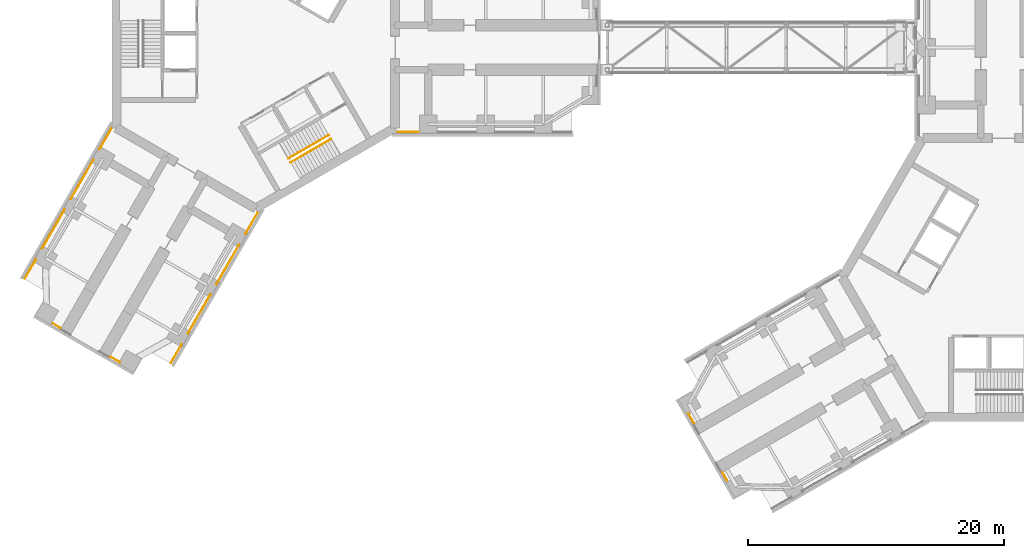
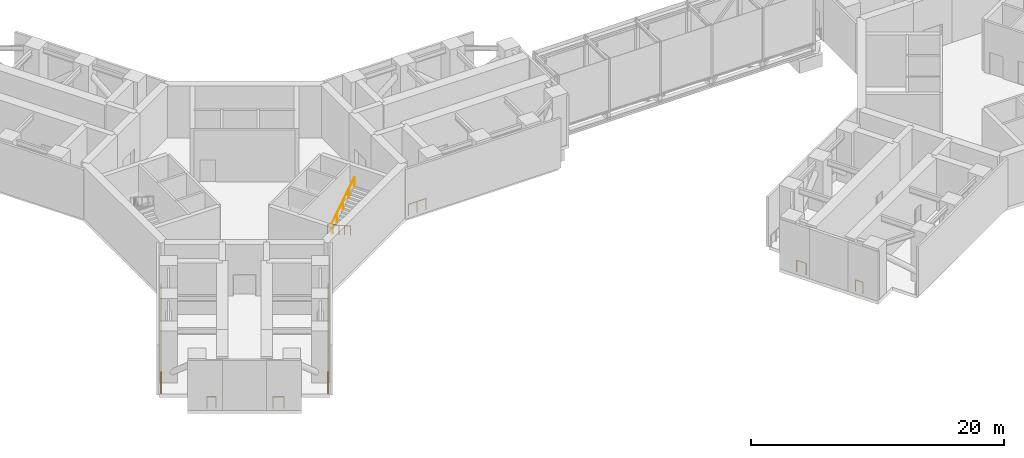
# One storey, part 14 of 17: 15 railings.
"""IFC4 building model written with IfcOpenShell, lengths in metres."""

from ifc_helpers import new_model, si_unit, direction, frame, origin, origin_2d, place, context, subcontext, project, spatial, circle, extrude, material, type_object, element, save


model = new_model("IFC4")

# Units and contexts
model_context = context("Model", 3, precision=1e-05, world=origin(), true_north=direction((0.0, 1.0)))
body_context = subcontext(model_context, "Body", "Model", "MODEL_VIEW")
ifc_project = project(units=[si_unit("LENGTHUNIT", "METRE"), si_unit("AREAUNIT", "SQUARE_METRE"), si_unit("VOLUMEUNIT", "CUBIC_METRE"), si_unit("PLANEANGLEUNIT", "RADIAN"), si_unit("MASSUNIT", "GRAM", prefix="KILO")], contexts=[model_context])

# Site, building, storey
site_placement = place(None, origin())
site = spatial("IfcSite", under=ifc_project, at=site_placement, CompositionType="ELEMENT")
building_placement = place(site_placement, origin())
building = spatial("IfcBuilding", under=site, at=building_placement, Name="Upepo Twin Towers", CompositionType="ELEMENT")
storey_placement = place(building_placement, frame((0.0, 0.0, 92.5)))
storey = spatial("IfcBuildingStorey", under=building, at=storey_placement, Name="L22", CompositionType="ELEMENT", Elevation=92.5)

# Railings
ifc_material_1 = material(Name="Stainless steel and glass", Category="steel")
railing_type_1 = type_object("IfcRailingType", Name="Guard 1100", PredefinedType="GUARDRAIL", material=ifc_material_1)
railing_1_placement = place(storey_placement, frame((12.75, -6.60009765625, 0.0)))
element("IfcRailing", 1, at=railing_1_placement, inside=storey, type_object=railing_type_1, Name="T1 L22 open floor guard", PredefinedType="GUARDRAIL", context=body_context, shape_type="SweptSolid", body=[
    extrude(circle(Radius=0.02392578125, at=origin_2d()), frame((0.0, 0.0, 1.076171875), z_axis=(-1.0, 0.0, 0.0), x_axis=(0.0, -1.0, 0.0)), (0.0, 0.0, 1.0), 1.609619140625),
    extrude(circle(Radius=0.02099609375, at=origin_2d()), origin(), (0.0, 0.0, 1.0), 1.052001953125),
    extrude(circle(Radius=0.02099609375, at=origin_2d()), frame((-0.8046875, 0.0, 0.0)), (0.0, 0.0, 1.0), 1.052001953125),
    extrude(circle(Radius=0.02099609375, at=origin_2d()), frame((-1.609619140625, 0.0, 0.0)), (0.0, 0.0, 1.0), 1.052001953125),
])
railing_2_placement = place(storey_placement, frame((-5.7939453125, -23.235595703125, 0.0)))
element("IfcRailing", 2, at=railing_2_placement, inside=storey, type_object=railing_type_1, Name="T1 L22 open floor guard", PredefinedType="GUARDRAIL", context=body_context, shape_type="SweptSolid", body=[
    extrude(circle(Radius=0.02392578125, at=origin_2d()), frame((0.0, 0.0, 1.076171875), z_axis=(-0.500045221889, -0.865999293341, 0.0), x_axis=(0.865999293341, -0.500045221889, 0.0)), (0.0, 0.0, 1.0), 1.680419921875),
    extrude(circle(Radius=0.02099609375, at=origin_2d()), origin(), (0.0, 0.0, 1.0), 1.052001953125),
    extrude(circle(Radius=0.02099609375, at=origin_2d()), frame((-0.420166015625, -0.7275390625, 0.0)), (0.0, 0.0, 1.0), 1.052001953125),
    extrude(circle(Radius=0.02099609375, at=origin_2d()), frame((-0.84033203125, -1.455322265625, 0.0)), (0.0, 0.0, 1.0), 1.052001953125),
])
for number, where, name in (
    (3, (-3.5439453125, -19.33837890625, 0.0), "T1 L22 open floor guard"),
    (4, (-1.2939453125, -15.44140625, 0.0), "T1 L22 open floor guard"),
):
    element("IfcRailing", number, at=place(storey_placement, frame(where)), inside=storey, type_object=railing_type_1, Name=name, PredefinedType="GUARDRAIL", context=body_context, shape_type="SweptSolid", body=[
        extrude(circle(Radius=0.02392578125, at=origin_2d()), frame((0.0, 0.0, 1.076171875), z_axis=(-0.500040675311, -0.866001918609, 0.0), x_axis=(0.866001918609, -0.500040675311, 0.0)), (0.0, 0.0, 1.0), 3.519775390625),
        extrude(circle(Radius=0.02099609375, at=origin_2d()), origin(), (0.0, 0.0, 1.0), 1.052001953125),
        extrude(circle(Radius=0.02099609375, at=origin_2d()), frame((-0.586669921875, -1.01611328125, 0.0)), (0.0, 0.0, 1.0), 1.052001953125),
        extrude(circle(Radius=0.02099609375, at=origin_2d()), frame((-1.17333984375, -2.031982421875, 0.0)), (0.0, 0.0, 1.0), 1.052001953125),
        extrude(circle(Radius=0.02099609375, at=origin_2d()), frame((-1.760009765625, -3.048095703125, 0.0)), (0.0, 0.0, 1.0), 1.052001953125),
    ])
railing_3_placement = place(storey_placement, frame((0.1455078125, -12.947998046875, 0.0)))
element("IfcRailing", 5, at=railing_3_placement, inside=storey, type_object=railing_type_1, Name="T1 L22 open floor guard", PredefinedType="GUARDRAIL", context=body_context, shape_type="SweptSolid", body=[
    extrude(circle(Radius=0.02392578125, at=origin_2d()), frame((0.0, 0.0, 1.076171875), z_axis=(-0.500052647041, -0.865995005868, 0.0), x_axis=(0.865995005868, -0.500052647041, 0.0)), (0.0, 0.0, 1.0), 1.898681640625),
    extrude(circle(Radius=0.02099609375, at=origin_2d()), origin(), (0.0, 0.0, 1.0), 1.052001953125),
    extrude(circle(Radius=0.02099609375, at=origin_2d()), frame((-0.474609375, -0.822265625, 0.0)), (0.0, 0.0, 1.0), 1.052001953125),
    extrude(circle(Radius=0.02099609375, at=origin_2d()), frame((-0.949462890625, -1.644287109375, 0.0)), (0.0, 0.0, 1.0), 1.052001953125),
])
railing_4_placement = place(storey_placement, frame((-18.065673828125, -18.0908203125, 0.0)))
element("IfcRailing", 6, at=railing_4_placement, inside=storey, type_object=railing_type_1, Name="T1 L22 open floor guard", PredefinedType="GUARDRAIL", context=body_context, shape_type="SweptSolid", body=[
    extrude(circle(Radius=0.02392578125, at=origin_2d()), frame((0.0, 0.0, 1.076171875), z_axis=(0.500034342508, 0.86600557522, 0.0), x_axis=(-0.86600557522, 0.500034342508, 0.0)), (0.0, 0.0, 1.0), 1.7392578125),
    extrude(circle(Radius=0.02099609375, at=origin_2d()), origin(), (0.0, 0.0, 1.0), 1.052001953125),
    extrude(circle(Radius=0.02099609375, at=origin_2d()), frame((0.434814453125, 0.7529296875, 0.0)), (0.0, 0.0, 1.0), 1.052001953125),
    extrude(circle(Radius=0.02099609375, at=origin_2d()), frame((0.86962890625, 1.506103515625, 0.0)), (0.0, 0.0, 1.0), 1.052001953125),
])
for number, where, name in (
    (7, (-16.7060546875, -15.735595703125, 0.0), "T1 L22 open floor guard"),
    (8, (-14.4560546875, -11.83837890625, 0.0), "T1 L22 open floor guard"),
):
    element("IfcRailing", number, at=place(storey_placement, frame(where)), inside=storey, type_object=railing_type_1, Name=name, PredefinedType="GUARDRAIL", context=body_context, shape_type="SweptSolid", body=[
        extrude(circle(Radius=0.02392578125, at=origin_2d()), frame((0.0, 0.0, 1.076171875), z_axis=(0.500040675311, 0.866001918609, 0.0), x_axis=(-0.866001918609, 0.500040675311, 0.0)), (0.0, 0.0, 1.0), 3.519775390625),
        extrude(circle(Radius=0.02099609375, at=origin_2d()), origin(), (0.0, 0.0, 1.0), 1.052001953125),
        extrude(circle(Radius=0.02099609375, at=origin_2d()), frame((0.586669921875, 1.01611328125, 0.0)), (0.0, 0.0, 1.0), 1.052001953125),
        extrude(circle(Radius=0.02099609375, at=origin_2d()), frame((1.17333984375, 2.031982421875, 0.0)), (0.0, 0.0, 1.0), 1.052001953125),
        extrude(circle(Radius=0.02099609375, at=origin_2d()), frame((1.760009765625, 3.048095703125, 0.0)), (0.0, 0.0, 1.0), 1.052001953125),
    ])
railing_5_placement = place(storey_placement, frame((-12.2060546875, -7.94140625, 0.0)))
element("IfcRailing", 9, at=railing_5_placement, inside=storey, type_object=railing_type_1, Name="T1 L22 open floor guard", PredefinedType="GUARDRAIL", context=body_context, shape_type="SweptSolid", body=[
    extrude(circle(Radius=0.02392578125, at=origin_2d()), frame((0.0, 0.0, 1.076171875), z_axis=(0.500063165942, 0.865988931839, 0.0), x_axis=(-0.865988931839, 0.500063165942, 0.0)), (0.0, 0.0, 1.0), 1.840087890625),
    extrude(circle(Radius=0.02099609375, at=origin_2d()), origin(), (0.0, 0.0, 1.0), 1.052001953125),
    extrude(circle(Radius=0.02099609375, at=origin_2d()), frame((0.4599609375, 0.796875, 0.0)), (0.0, 0.0, 1.0), 1.052001953125),
    extrude(circle(Radius=0.02099609375, at=origin_2d()), frame((0.920166015625, 1.593505859375, 0.0)), (0.0, 0.0, 1.0), 1.052001953125),
])
railing_6_placement = place(storey_placement, frame((-15.87353515625, -21.608154296875, 0.0)))
element("IfcRailing", 10, at=railing_6_placement, inside=storey, type_object=railing_type_1, Name="T1 L22 open floor guard", PredefinedType="GUARDRAIL", context=body_context, shape_type="SweptSolid", body=[
    extrude(circle(Radius=0.02392578125, at=origin_2d()), frame((0.0, 0.0, 1.076171875), z_axis=(0.866044773228, -0.499966449638, 0.0), x_axis=(0.499966449638, 0.866044773228, 0.0)), (0.0, 0.0, 1.0), 0.69287109375),
    extrude(circle(Radius=0.02099609375, at=origin_2d()), origin(), (0.0, 0.0, 1.0), 1.052001953125),
    extrude(circle(Radius=0.02099609375, at=origin_2d()), frame((0.60009765625, -0.346435546875, 0.0)), (0.0, 0.0, 1.0), 1.052001953125),
])
railing_7_placement = place(storey_placement, frame((-11.37646484375, -24.20458984375, 0.0)))
element("IfcRailing", 11, at=railing_7_placement, inside=storey, type_object=railing_type_1, Name="T1 L22 open floor guard", PredefinedType="GUARDRAIL", context=body_context, shape_type="SweptSolid", body=[
    extrude(circle(Radius=0.02392578125, at=origin_2d()), frame((0.0, 0.0, 1.076171875), z_axis=(0.866063370586, -0.499934233803, 0.0), x_axis=(0.499934233803, 0.866063370586, 0.0)), (0.0, 0.0, 1.0), 0.86474609375),
    extrude(circle(Radius=0.02099609375, at=origin_2d()), origin(), (0.0, 0.0, 1.0), 1.052001953125),
    extrude(circle(Radius=0.02099609375, at=origin_2d()), frame((0.7490234375, -0.432373046875, 0.0)), (0.0, 0.0, 1.0), 1.052001953125),
])
railing_8_placement = place(storey_placement, frame((33.863037109375, -28.62744140625, 0.0)))
element("IfcRailing", 12, at=railing_8_placement, inside=storey, type_object=railing_type_1, Name="T2 L22 open floor guard", PredefinedType="GUARDRAIL", context=body_context, shape_type="SweptSolid", body=[
    extrude(circle(Radius=0.02392578125, at=origin_2d()), frame((0.0, 0.0, 1.076171875), z_axis=(0.499934233803, -0.866063370586, 0.0), x_axis=(0.866063370586, 0.499934233803, 0.0)), (0.0, 0.0, 1.0), 0.86474609375),
    extrude(circle(Radius=0.02099609375, at=origin_2d()), origin(), (0.0, 0.0, 1.0), 1.052001953125),
    extrude(circle(Radius=0.02099609375, at=origin_2d()), frame((0.432373046875, -0.7490234375, 0.0)), (0.0, 0.0, 1.0), 1.052001953125),
])
railing_9_placement = place(storey_placement, frame((36.54541015625, -33.2734375, 0.0)))
element("IfcRailing", 13, at=railing_9_placement, inside=storey, type_object=railing_type_1, Name="T2 L22 open floor guard", PredefinedType="GUARDRAIL", context=body_context, shape_type="SweptSolid", body=[
    extrude(circle(Radius=0.02392578125, at=origin_2d()), frame((0.0, 0.0, 1.076171875), z_axis=(0.499966449638, -0.866044773228, 0.0), x_axis=(0.866044773228, 0.499966449638, 0.0)), (0.0, 0.0, 1.0), 0.69287109375),
    extrude(circle(Radius=0.02099609375, at=origin_2d()), origin(), (0.0, 0.0, 1.0), 1.052001953125),
    extrude(circle(Radius=0.02099609375, at=origin_2d()), frame((0.346435546875, -0.60009765625, 0.0)), (0.0, 0.0, 1.0), 1.052001953125),
])
ifc_material_2 = material(Name="Stainless steel", Category="steel")
railing_type_2 = type_object("IfcRailingType", Name="Stair handrail 900", PredefinedType="HANDRAIL", material=ifc_material_2)
railing_10_placement = place(storey_placement, frame((5.71630859375, -6.861083984375, 0.178466796875)))
element("IfcRailing", 14, at=railing_10_placement, inside=storey, type_object=railing_type_2, Name="T1 stair S2 L22 handrail 1", PredefinedType="HANDRAIL", context=body_context, shape_type="SweptSolid", body=[
    extrude(circle(Radius=0.02392578125, at=origin_2d()), frame((0.0, 0.0, 0.8759765625), z_axis=(-0.730175966949, -0.421525066422, 0.537735693132), x_axis=(0.499962438169, -0.866047089031, 0.0)), (0.0, 0.0, 1.0), 4.317138671875),
    extrude(circle(Radius=0.02099609375, at=origin_2d()), origin(), (0.0, 0.0, 1.0), 0.851806640625),
    extrude(circle(Radius=0.02099609375, at=origin_2d()), frame((-0.7880859375, -0.455078125, 0.580322265625)), (0.0, 0.0, 1.0), 0.851806640625),
    extrude(circle(Radius=0.02099609375, at=origin_2d()), frame((-1.576171875, -0.909912109375, 1.16064453125)), (0.0, 0.0, 1.0), 0.851806640625),
    extrude(circle(Radius=0.02099609375, at=origin_2d()), frame((-2.3642578125, -1.36474609375, 1.7412109375)), (0.0, 0.0, 1.0), 0.851806640625),
    extrude(circle(Radius=0.02099609375, at=origin_2d()), frame((-3.15234375, -1.81982421875, 2.321533203125)), (0.0, 0.0, 1.0), 0.851806640625),
])
railing_11_placement = place(storey_placement, frame((2.7431640625, -8.991455078125, 2.678466796875)))
element("IfcRailing", 15, at=railing_11_placement, inside=storey, type_object=railing_type_2, Name="T1 stair S2 L22 handrail 2", PredefinedType="HANDRAIL", context=body_context, shape_type="SweptSolid", body=[
    extrude(circle(Radius=0.02392578125, at=origin_2d()), frame((0.0, 0.0, 0.8759765625), z_axis=(0.730158560966, 0.421571566915, 0.537722874553), x_axis=(-0.500012742938, 0.866018046521, 0.0)), (0.0, 0.0, 1.0), 4.3173828125),
    extrude(circle(Radius=0.02099609375, at=origin_2d()), origin(), (0.0, 0.0, 1.0), 0.851806640625),
    extrude(circle(Radius=0.02099609375, at=origin_2d()), frame((0.7880859375, 0.455078125, 0.580322265625)), (0.0, 0.0, 1.0), 0.851806640625),
    extrude(circle(Radius=0.02099609375, at=origin_2d()), frame((1.576171875, 0.91015625, 1.16064453125)), (0.0, 0.0, 1.0), 0.851806640625),
    extrude(circle(Radius=0.02099609375, at=origin_2d()), frame((2.3642578125, 1.364990234375, 1.7412109375)), (0.0, 0.0, 1.0), 0.851806640625),
    extrude(circle(Radius=0.02099609375, at=origin_2d()), frame((3.15234375, 1.820068359375, 2.321533203125)), (0.0, 0.0, 1.0), 0.851806640625),
])

save(model, "model.ifc")
